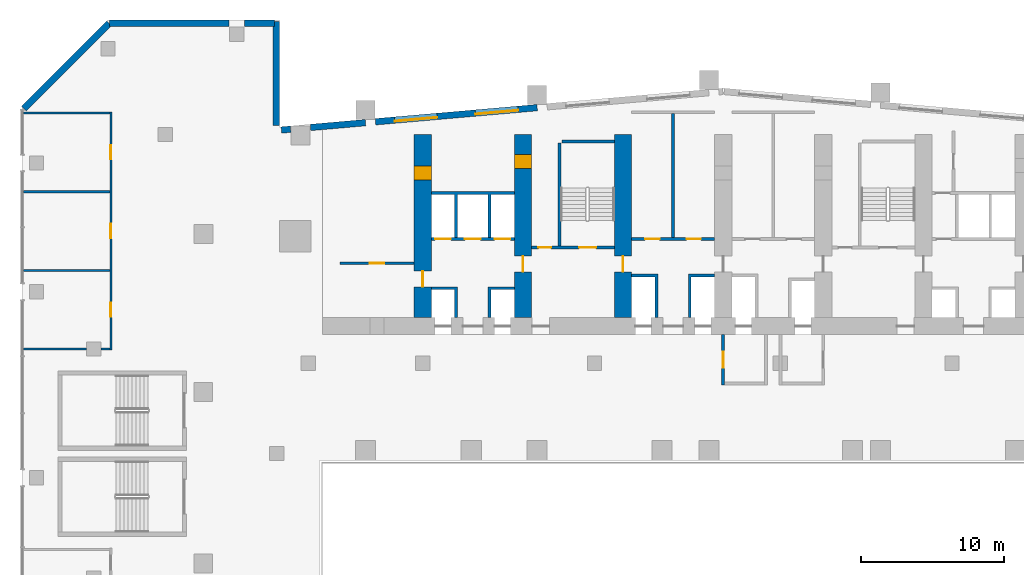
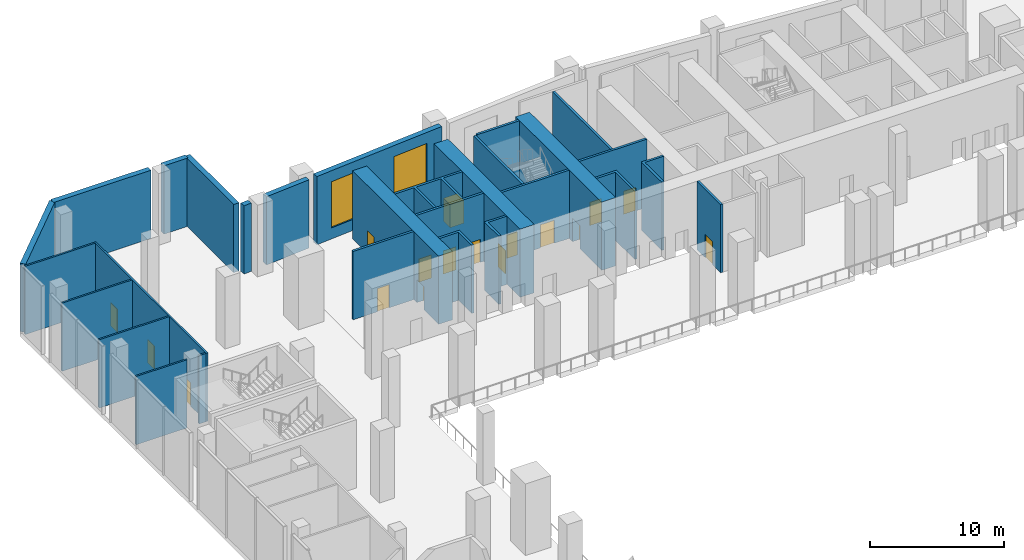
# One storey, part 14 of 30: 29 walls, 17 doors, 2 windows, 19 openings.
"""IFC4 building model written with IfcOpenShell, lengths in metres."""

from ifc_helpers import new_model, si_unit, direction, frame, frame_2d, origin, place, context, subcontext, project, spatial, polyline, rectangle, outline, extrude, material, layer, layer_set, type_object, element, fill, save


model = new_model("IFC4")

# Units and contexts
model_context = context("Model", 3, precision=1e-05, world=origin(), true_north=direction((0.0, 1.0)))
body_context = subcontext(model_context, "Body", "Model", "MODEL_VIEW")
ifc_project = project(units=[si_unit("LENGTHUNIT", "METRE"), si_unit("AREAUNIT", "SQUARE_METRE"), si_unit("VOLUMEUNIT", "CUBIC_METRE"), si_unit("PLANEANGLEUNIT", "RADIAN"), si_unit("MASSUNIT", "GRAM", prefix="KILO")], contexts=[model_context])

# Site, building, storey
site_placement = place(None, origin())
site = spatial("IfcSite", under=ifc_project, at=site_placement, CompositionType="ELEMENT")
building_placement = place(site_placement, origin())
building = spatial("IfcBuilding", under=site, at=building_placement, Name="Wharfspan Tower", CompositionType="ELEMENT")
storey_placement = place(building_placement, frame((0.0, 0.0, 15.0)))
storey = spatial("IfcBuildingStorey", under=building, at=storey_placement, Name="L02", CompositionType="ELEMENT", Elevation=15.0)

# Wall, opening, door
ifc_material_1 = material(Name="Calcium silicate masonry", Category="masonry")
ifc_layer_1 = layer(ifc_material_1, 0.199951)
ifc_layer_set_1 = layer_set([ifc_layer_1], Name="Calcium silicate masonry")
wall_type_1 = type_object("IfcWallType", Name="Core room wall 200", PredefinedType="PARTITIONING", material=ifc_layer_set_1)
wall_1_placement = place(storey_placement, frame((10.199951, 39.0, 0.0), z_axis=(0.0, 0.0, 1.0), x_axis=(1.0, 0.0, 0.0)))
wall_1 = element("IfcWall", 1, at=wall_1_placement, inside=storey, type_object=wall_type_1, Name="sw:L02:RM0", PredefinedType="PARTITIONING", context=body_context, shape_type="SweptSolid", body=[
    extrude(rectangle(XDim=5.199951, YDim=0.199951, at=frame_2d((2.600098, 0.0))), origin(), (0.0, 0.0, 1.0), 6.199951),
])
opening_1_placement = place(wall_1_placement, frame((2.100098, 0.0, 0.0)))
opening_1 = element("IfcOpeningElement", 2, at=opening_1_placement, cuts=wall_1, Name="Opening CD02.02", PredefinedType="OPENING", context=body_context, shape_type="SweptSolid", body=[
    extrude(rectangle(XDim=1.0, YDim=2.100098, at=frame_2d((0.5, 1.050049))), frame((0.0, 0.109863, 0.0), z_axis=(0.0, -1.0, 0.0), x_axis=(1.0, 0.0, 0.0)), (0.0, 0.0, 1.0), 0.219971),
])
ifc_material_2 = material(Name="Steel door leaf", Category="steel")
door_type_1 = type_object("IfcDoorType", Name="Core room door 1000x2100", OperationType="SINGLE_SWING_LEFT", PredefinedType="DOOR", material=ifc_material_2)
door_1_placement = place(opening_1_placement, origin())
door_1 = element("IfcDoor", 3, at=door_1_placement, inside=storey, type_object=door_type_1, Name="d:L02:0:rr", OperationType="SINGLE_SWING_RIGHT", OverallHeight=2.100098, OverallWidth=1.0, PredefinedType="DOOR", context=body_context, shape_type="SweptSolid", body=[
    extrude(rectangle(XDim=1.0, YDim=2.100098, at=frame_2d((0.5, 1.050049))), frame((0.0, 0.024902, 0.0), z_axis=(0.0, -1.0, 0.0), x_axis=(1.0, 0.0, 0.0)), (0.0, 0.0, 1.0), 0.050049),
])
fill(opening_1, door_1)

# Wall
wall_2_placement = place(storey_placement, frame((33.5, 40.800049, 0.0), z_axis=(0.0, 0.0, 1.0), x_axis=(0.0, 1.0, 0.0)))
element("IfcWall", 4, at=wall_2_placement, inside=storey, type_object=wall_type_1, Name="sw:L02:RP3.1", PredefinedType="PARTITIONING", context=body_context, shape_type="SweptSolid", body=[
    extrude(rectangle(XDim=8.652588, YDim=0.199951, at=frame_2d((4.326172, 0.0))), origin(), (0.0, 0.0, 1.0), 6.199951),
])

# Wall, openings, doors
ifc_material_3 = material(Name="Concrete C70/85", Category="concrete")
ifc_layer_2 = layer(ifc_material_3, 1.199951)
ifc_layer_set_2 = layer_set([ifc_layer_2], Name="Concrete C70/85")
wall_type_2 = type_object("IfcWallType", Name="Core wall fallback 1.2", PredefinedType="SHEAR", material=ifc_layer_set_2)
wall_3_placement = place(storey_placement, frame((16.0, 35.199951, 0.0), z_axis=(0.0, 0.0, 1.0), x_axis=(0.0, 1.0, 0.0)))
wall_3 = element("IfcWall", 5, at=wall_3_placement, inside=storey, type_object=wall_type_2, Name="cw:L02:X1", PredefinedType="SHEAR", context=body_context, shape_type="SweptSolid", body=[
    extrude(rectangle(XDim=12.800049, YDim=1.199951, at=frame_2d((6.399902, 0.0))), origin(), (0.0, 0.0, 1.0), 6.199951),
])
opening_2_placement = place(wall_3_placement, frame((2.149902, 0.0, 0.0)))
opening_2 = element("IfcOpeningElement", 6, at=opening_2_placement, cuts=wall_3, Name="Opening CC02.1", PredefinedType="OPENING", context=body_context, shape_type="SweptSolid", body=[
    extrude(rectangle(XDim=1.100098, YDim=2.100098, at=frame_2d((0.550049, 1.050049))), frame((0.0, 0.609863, 0.0), z_axis=(0.0, -1.0, 0.0), x_axis=(1.0, 0.0, 0.0)), (0.0, 0.0, 1.0), 1.219971),
])
opening_3_placement = place(wall_3_placement, frame((9.600098, 0.0, 0.0)))
opening_3 = element("IfcOpeningElement", 7, at=opening_3_placement, cuts=wall_3, Name="Opening CR02.1", PredefinedType="OPENING", context=body_context, shape_type="SweptSolid", body=[
    extrude(rectangle(XDim=1.0, YDim=2.100098, at=frame_2d((0.5, 1.050049))), frame((0.0, 0.609863, 0.0), z_axis=(0.0, -1.0, 0.0), x_axis=(1.0, 0.0, 0.0)), (0.0, 0.0, 1.0), 1.219971),
])
door_type_2 = type_object("IfcDoorType", Name="Core corridor door 1100x2100", OperationType="SINGLE_SWING_LEFT", PredefinedType="DOOR", material=ifc_material_2)
door_2_placement = place(opening_2_placement, origin())
door_2 = element("IfcDoor", 8, at=door_2_placement, inside=storey, type_object=door_type_2, Name="xd:L02:1", OperationType="SINGLE_SWING_LEFT", OverallHeight=2.100098, OverallWidth=1.100098, PredefinedType="DOOR", context=body_context, shape_type="SweptSolid", body=[
    extrude(rectangle(XDim=1.100098, YDim=2.100098, at=frame_2d((0.550049, 1.050049))), frame((0.0, 0.024902, 0.0), z_axis=(0.0, -1.0, 0.0), x_axis=(1.0, 0.0, 0.0)), (0.0, 0.0, 1.0), 0.050049),
])
fill(opening_2, door_2)
door_3_placement = place(opening_3_placement, origin())
door_3 = element("IfcDoor", 9, at=door_3_placement, inside=storey, type_object=door_type_1, Name="xr:L02:1", OperationType="SINGLE_SWING_RIGHT", OverallHeight=2.100098, OverallWidth=1.0, PredefinedType="DOOR", context=body_context, shape_type="SweptSolid", body=[
    extrude(rectangle(XDim=1.0, YDim=2.100098, at=frame_2d((0.5, 1.050049))), frame((0.0, 0.599609, 0.0), z_axis=(0.0, -1.0, 0.0), x_axis=(1.0, 0.0, 0.0)), (0.0, 0.0, 1.0), 1.199463),
])
fill(opening_3, door_3)

wall_4_placement = place(storey_placement, frame((23.0, 35.199951, 0.0), z_axis=(0.0, 0.0, 1.0), x_axis=(0.0, 1.0, 0.0)))
wall_4 = element("IfcWall", 10, at=wall_4_placement, inside=storey, type_object=wall_type_2, Name="cw:L02:X2", PredefinedType="SHEAR", context=body_context, shape_type="SweptSolid", body=[
    extrude(rectangle(XDim=12.800049, YDim=1.199951, at=frame_2d((6.399902, 0.0))), origin(), (0.0, 0.0, 1.0), 6.199951),
])
opening_4_placement = place(wall_4_placement, frame((10.413818, 0.0, 0.0)))
opening_4 = element("IfcOpeningElement", 11, at=opening_4_placement, cuts=wall_4, Name="Opening CD02.1X", PredefinedType="OPENING", context=body_context, shape_type="SweptSolid", body=[
    extrude(rectangle(XDim=1.0, YDim=2.100098, at=frame_2d((0.5, 1.050049))), frame((0.0, 0.609863, 0.0), z_axis=(0.0, -1.0, 0.0), x_axis=(1.0, 0.0, 0.0)), (0.0, 0.0, 1.0), 1.219971),
])
opening_5_placement = place(wall_4_placement, frame((3.199951, 0.0, 0.0)))
opening_5 = element("IfcOpeningElement", 12, at=opening_5_placement, cuts=wall_4, Name="Opening CC02.2", PredefinedType="OPENING", context=body_context, shape_type="SweptSolid", body=[
    extrude(rectangle(XDim=1.100098, YDim=2.100098, at=frame_2d((0.550049, 1.050049))), frame((0.0, 0.609863, 0.0), z_axis=(0.0, -1.0, 0.0), x_axis=(1.0, 0.0, 0.0)), (0.0, 0.0, 1.0), 1.219971),
])
door_4_placement = place(opening_5_placement, origin())
door_4 = element("IfcDoor", 13, at=door_4_placement, inside=storey, type_object=door_type_2, Name="xd:L02:2", OperationType="SINGLE_SWING_RIGHT", OverallHeight=2.100098, OverallWidth=1.100098, PredefinedType="DOOR", context=body_context, shape_type="SweptSolid", body=[
    extrude(rectangle(XDim=1.100098, YDim=2.100098, at=frame_2d((0.550049, 1.050049))), frame((0.0, 0.024902, 0.0), z_axis=(0.0, -1.0, 0.0), x_axis=(1.0, 0.0, 0.0)), (0.0, 0.0, 1.0), 0.050049),
])
fill(opening_5, door_4)
door_5_placement = place(opening_4_placement, origin())
door_5 = element("IfcDoor", 14, at=door_5_placement, inside=storey, type_object=door_type_1, Name="d:L02:1:sx", OperationType="SINGLE_SWING_LEFT", OverallHeight=2.100098, OverallWidth=1.0, PredefinedType="DOOR", context=body_context, shape_type="SweptSolid", body=[
    extrude(rectangle(XDim=1.0, YDim=2.100098, at=frame_2d((0.5, 1.050049))), frame((0.0, 0.599609, 0.0), z_axis=(0.0, -1.0, 0.0), x_axis=(1.0, 0.0, 0.0)), (0.0, 0.0, 1.0), 1.199463),
])
fill(opening_4, door_5)

# Wall, opening, door
wall_5_placement = place(storey_placement, frame((30.0, 35.199951, 0.0), z_axis=(0.0, 0.0, 1.0), x_axis=(0.0, 1.0, 0.0)))
wall_5 = element("IfcWall", 15, at=wall_5_placement, inside=storey, type_object=wall_type_2, Name="cw:L02:X3", PredefinedType="SHEAR", context=body_context, shape_type="SweptSolid", body=[
    extrude(rectangle(XDim=12.800049, YDim=1.199951, at=frame_2d((6.399902, 0.0))), origin(), (0.0, 0.0, 1.0), 6.199951),
])
opening_6_placement = place(wall_5_placement, frame((3.199951, 0.0, 0.0)))
opening_6 = element("IfcOpeningElement", 16, at=opening_6_placement, cuts=wall_5, Name="Opening CC02.3", PredefinedType="OPENING", context=body_context, shape_type="SweptSolid", body=[
    extrude(rectangle(XDim=1.100098, YDim=2.100098, at=frame_2d((0.550049, 1.050049))), frame((0.0, 0.609863, 0.0), z_axis=(0.0, -1.0, 0.0), x_axis=(1.0, 0.0, 0.0)), (0.0, 0.0, 1.0), 1.219971),
])
door_6_placement = place(opening_6_placement, origin())
door_6 = element("IfcDoor", 17, at=door_6_placement, inside=storey, type_object=door_type_2, Name="xd:L02:3", OperationType="SINGLE_SWING_LEFT", OverallHeight=2.100098, OverallWidth=1.100098, PredefinedType="DOOR", context=body_context, shape_type="SweptSolid", body=[
    extrude(rectangle(XDim=1.100098, YDim=2.100098, at=frame_2d((0.550049, 1.050049))), frame((0.0, 0.024902, 0.0), z_axis=(0.0, -1.0, 0.0), x_axis=(1.0, 0.0, 0.0)), (0.0, 0.0, 1.0), 0.050049),
])
fill(opening_6, door_6)

# Wall, openings, doors
ifc_material_4 = material(Name="Concrete C30/37", Category="concrete")
ifc_layer_3 = layer(ifc_material_4, 0.199951)
ifc_layer_set_3 = layer_set([ifc_layer_3], Name="Concrete C30/37")
wall_type_3 = type_object("IfcWallType", Name="Lift shaft wall 200", PredefinedType="PARTITIONING", material=ifc_layer_set_3)
wall_6_placement = place(storey_placement, frame((16.600098, 40.699951, 0.0), z_axis=(0.0, 0.0, 1.0), x_axis=(1.0, 0.0, 0.0)))
wall_6 = element("IfcWall", 18, at=wall_6_placement, inside=storey, type_object=wall_type_3, Name="sw:L02:RF1", PredefinedType="PARTITIONING", context=body_context, shape_type="SweptSolid", body=[
    extrude(rectangle(XDim=5.799805, YDim=0.199951, at=frame_2d((2.899902, 0.0))), origin(), (0.0, 0.0, 1.0), 6.199951),
])
opening_7_placement = place(wall_6_placement, frame((0.266602, 0.0, 0.0)))
opening_7 = element("IfcOpeningElement", 19, at=opening_7_placement, cuts=wall_6, Name="Opening LD.LA3.L02", PredefinedType="OPENING", context=body_context, shape_type="SweptSolid", body=[
    extrude(rectangle(XDim=1.100098, YDim=2.100098, at=frame_2d((0.550049, 1.050049))), frame((0.0, 0.109863, 0.0), z_axis=(0.0, -1.0, 0.0), x_axis=(1.0, 0.0, 0.0)), (0.0, 0.0, 1.0), 0.219971),
])
opening_8_placement = place(wall_6_placement, frame((2.350098, 0.0, 0.0)))
opening_8 = element("IfcOpeningElement", 20, at=opening_8_placement, cuts=wall_6, Name="Opening LD.LA4.L02", PredefinedType="OPENING", context=body_context, shape_type="SweptSolid", body=[
    extrude(rectangle(XDim=1.100098, YDim=2.100098, at=frame_2d((0.550049, 1.050049))), frame((0.0, 0.109863, 0.0), z_axis=(0.0, -1.0, 0.0), x_axis=(1.0, 0.0, 0.0)), (0.0, 0.0, 1.0), 0.219971),
])
opening_9_placement = place(wall_6_placement, frame((4.43335, 0.0, 0.0)))
opening_9 = element("IfcOpeningElement", 21, at=opening_9_placement, cuts=wall_6, Name="Opening LD.LA5.L02", PredefinedType="OPENING", context=body_context, shape_type="SweptSolid", body=[
    extrude(rectangle(XDim=1.100098, YDim=2.100098, at=frame_2d((0.550049, 1.050049))), frame((0.0, 0.109863, 0.0), z_axis=(0.0, -1.0, 0.0), x_axis=(1.0, 0.0, 0.0)), (0.0, 0.0, 1.0), 0.219971),
])
ifc_material_5 = material(Name="Stainless steel", Category="steel")
door_type_3 = type_object("IfcDoorType", Name="Lift landing door 1100x2100", OperationType="DOUBLE_DOOR_SLIDING", PredefinedType="DOOR", material=ifc_material_5)
door_7_placement = place(opening_7_placement, origin())
door_7 = element("IfcDoor", 22, at=door_7_placement, inside=storey, type_object=door_type_3, Name="Landing door LA3 L02", OperationType="DOUBLE_DOOR_SLIDING", OverallHeight=2.100098, OverallWidth=1.100098, PredefinedType="DOOR", context=body_context, shape_type="SweptSolid", body=[
    extrude(rectangle(XDim=1.100098, YDim=2.100098, at=frame_2d((0.550049, 1.050049))), frame((0.0, 0.024902, 0.0), z_axis=(0.0, -1.0, 0.0), x_axis=(1.0, 0.0, 0.0)), (0.0, 0.0, 1.0), 0.050049),
])
fill(opening_7, door_7)
door_8_placement = place(opening_8_placement, origin())
door_8 = element("IfcDoor", 23, at=door_8_placement, inside=storey, type_object=door_type_3, Name="Landing door LA4 L02", OperationType="DOUBLE_DOOR_SLIDING", OverallHeight=2.100098, OverallWidth=1.100098, PredefinedType="DOOR", context=body_context, shape_type="SweptSolid", body=[
    extrude(rectangle(XDim=1.100098, YDim=2.100098, at=frame_2d((0.550049, 1.050049))), frame((0.0, 0.024902, 0.0), z_axis=(0.0, -1.0, 0.0), x_axis=(1.0, 0.0, 0.0)), (0.0, 0.0, 1.0), 0.050049),
])
fill(opening_8, door_8)
door_9_placement = place(opening_9_placement, origin())
door_9 = element("IfcDoor", 24, at=door_9_placement, inside=storey, type_object=door_type_3, Name="Landing door LA5 L02", OperationType="DOUBLE_DOOR_SLIDING", OverallHeight=2.100098, OverallWidth=1.100098, PredefinedType="DOOR", context=body_context, shape_type="SweptSolid", body=[
    extrude(rectangle(XDim=1.100098, YDim=2.100098, at=frame_2d((0.550049, 1.050049))), frame((0.0, 0.024902, 0.0), z_axis=(0.0, -1.0, 0.0), x_axis=(1.0, 0.0, 0.0)), (0.0, 0.0, 1.0), 0.050049),
])
fill(opening_9, door_9)

# Walls
wall_7_placement = place(storey_placement, frame((0.0, 0.0, -0.000244)))
element("IfcWall", 25, at=wall_7_placement, inside=storey, type_object=wall_type_3, Name="sw:L02:FM1.0", PredefinedType="PARTITIONING", context=body_context, shape_type="SweptSolid", body=[
    extrude(outline(polyline([(18.233398, 37.149902), (16.600098, 37.149902), (16.600098, 37.350098), (18.233398, 37.350098), (18.43335, 37.350098), (18.43335, 35.199951), (18.233398, 35.199951), (18.233398, 37.149902)])), origin(), (0.0, 0.0, 1.0), 6.200195),
])
wall_8_placement = place(storey_placement, frame((0.0, 0.0, -0.000244)))
element("IfcWall", 26, at=wall_8_placement, inside=storey, type_object=wall_type_3, Name="sw:L02:FM1.1", PredefinedType="PARTITIONING", context=body_context, shape_type="SweptSolid", body=[
    extrude(outline(polyline([(20.56665, 37.350098), (20.766602, 37.350098), (22.399902, 37.350098), (22.399902, 37.149902), (20.766602, 37.149902), (20.766602, 35.199951), (20.56665, 35.199951), (20.56665, 37.350098)])), origin(), (0.0, 0.0, 1.0), 6.200195),
])
wall_9_placement = place(storey_placement, frame((0.0, 0.0, -0.000244)))
element("IfcWall", 27, at=wall_9_placement, inside=storey, type_object=wall_type_3, Name="sw:L02:RM1.0", PredefinedType="PARTITIONING", context=body_context, shape_type="SweptSolid", body=[
    extrude(outline(polyline([(18.43335, 40.800049), (18.233398, 40.800049), (18.233398, 43.800049), (16.600098, 43.800049), (16.600098, 44.0), (22.399902, 44.0), (22.399902, 43.800049), (20.766602, 43.800049), (20.766602, 40.800049), (20.56665, 40.800049), (20.56665, 43.800049), (18.43335, 43.800049), (18.43335, 40.800049)])), origin(), (0.0, 0.0, 1.0), 6.200195),
])

# Wall, openings, doors
wall_10_placement = place(storey_placement, frame((30.600098, 40.699951, 0.0), z_axis=(0.0, 0.0, 1.0), x_axis=(1.0, 0.0, 0.0)))
wall_10 = element("IfcWall", 28, at=wall_10_placement, inside=storey, type_object=wall_type_3, Name="sw:L02:RF3", PredefinedType="PARTITIONING", context=body_context, shape_type="SweptSolid", body=[
    extrude(rectangle(XDim=5.799805, YDim=0.199951, at=frame_2d((2.899902, 0.0))), origin(), (0.0, 0.0, 1.0), 6.199951),
])
opening_10_placement = place(wall_10_placement, frame((0.949951, 0.0, 0.0)))
opening_10 = element("IfcOpeningElement", 29, at=opening_10_placement, cuts=wall_10, Name="Opening CD02.3S", PredefinedType="OPENING", context=body_context, shape_type="SweptSolid", body=[
    extrude(rectangle(XDim=1.0, YDim=2.100098, at=frame_2d((0.5, 1.050049))), frame((0.0, 0.109863, 0.0), z_axis=(0.0, -1.0, 0.0), x_axis=(1.0, 0.0, 0.0)), (0.0, 0.0, 1.0), 0.219971),
])
opening_11_placement = place(wall_10_placement, frame((3.850098, 0.0, 0.0)))
opening_11 = element("IfcOpeningElement", 30, at=opening_11_placement, cuts=wall_10, Name="Opening CD02.3Sa", PredefinedType="OPENING", context=body_context, shape_type="SweptSolid", body=[
    extrude(rectangle(XDim=1.0, YDim=2.100098, at=frame_2d((0.5, 1.050049))), frame((0.0, 0.109863, 0.0), z_axis=(0.0, -1.0, 0.0), x_axis=(1.0, 0.0, 0.0)), (0.0, 0.0, 1.0), 0.219971),
])
door_10_placement = place(opening_10_placement, origin())
door_10 = element("IfcDoor", 31, at=door_10_placement, inside=storey, type_object=door_type_1, Name="d:L02:3:sf", OperationType="SINGLE_SWING_LEFT", OverallHeight=2.100098, OverallWidth=1.0, PredefinedType="DOOR", context=body_context, shape_type="SweptSolid", body=[
    extrude(rectangle(XDim=1.0, YDim=2.100098, at=frame_2d((0.5, 1.050049))), frame((0.0, 0.024902, 0.0), z_axis=(0.0, -1.0, 0.0), x_axis=(1.0, 0.0, 0.0)), (0.0, 0.0, 1.0), 0.050049),
])
fill(opening_10, door_10)
door_11_placement = place(opening_11_placement, origin())
door_11 = element("IfcDoor", 32, at=door_11_placement, inside=storey, type_object=door_type_1, Name="d:L02:3:sf1", OperationType="SINGLE_SWING_LEFT", OverallHeight=2.100098, OverallWidth=1.0, PredefinedType="DOOR", context=body_context, shape_type="SweptSolid", body=[
    extrude(rectangle(XDim=1.0, YDim=2.100098, at=frame_2d((0.5, 1.050049))), frame((0.0, 0.024902, 0.0), z_axis=(0.0, -1.0, 0.0), x_axis=(1.0, 0.0, 0.0)), (0.0, 0.0, 1.0), 0.050049),
])
fill(opening_11, door_11)

# Walls
wall_11_placement = place(storey_placement, frame((0.0, 0.0, -0.000244)))
element("IfcWall", 33, at=wall_11_placement, inside=storey, type_object=wall_type_3, Name="sw:L02:FM3.0", PredefinedType="PARTITIONING", context=body_context, shape_type="SweptSolid", body=[
    extrude(outline(polyline([(32.233398, 38.050049), (30.600098, 38.050049), (30.600098, 38.25), (32.233398, 38.25), (32.43335, 38.25), (32.43335, 35.199951), (32.233398, 35.199951), (32.233398, 38.050049)])), origin(), (0.0, 0.0, 1.0), 6.200195),
])
wall_12_placement = place(storey_placement, frame((0.0, 0.0, -0.000244)))
element("IfcWall", 34, at=wall_12_placement, inside=storey, type_object=wall_type_3, Name="sw:L02:FM3.1", PredefinedType="PARTITIONING", context=body_context, shape_type="SweptSolid", body=[
    extrude(outline(polyline([(34.56665, 38.25), (34.766602, 38.25), (36.399902, 38.25), (36.399902, 38.050049), (34.766602, 38.050049), (34.766602, 35.199951), (34.56665, 35.199951), (34.56665, 38.25)])), origin(), (0.0, 0.0, 1.0), 6.200195),
])

# Wall, opening, door
ifc_layer_4 = layer(ifc_material_4, 0.199951)
ifc_layer_set_4 = layer_set([ifc_layer_4], Name="Concrete C30/37")
wall_type_4 = type_object("IfcWallType", Name="Lobby wall 200", PredefinedType="PARTITIONING", material=ifc_layer_set_4)
wall_13_placement = place(storey_placement, frame((37.0, 30.5, 0.0), z_axis=(0.0, 0.0, 1.0), x_axis=(0.0, 1.0, 0.0)))
wall_13 = element("IfcWall", 35, at=wall_13_placement, inside=storey, type_object=wall_type_4, Name="sw:L02:FLFF1W", PredefinedType="PARTITIONING", context=body_context, shape_type="SweptSolid", body=[
    extrude(rectangle(XDim=3.5, YDim=0.199951, at=frame_2d((1.75, 0.0))), origin(), (0.0, 0.0, 1.0), 6.199951),
])
opening_12_placement = place(wall_13_placement, frame((1.199951, 0.0, 0.0)))
opening_12 = element("IfcOpeningElement", 36, at=opening_12_placement, cuts=wall_13, Name="Opening FL.FF1.L02", PredefinedType="OPENING", context=body_context, shape_type="SweptSolid", body=[
    extrude(rectangle(XDim=1.100098, YDim=2.100098, at=frame_2d((0.550049, 1.050049))), frame((0.0, 0.109863, 0.0), z_axis=(0.0, -1.0, 0.0), x_axis=(1.0, 0.0, 0.0)), (0.0, 0.0, 1.0), 0.219971),
])
door_type_4 = type_object("IfcDoorType", Name="Firefighting lobby door 1100x2100", OperationType="SINGLE_SWING_LEFT", PredefinedType="DOOR", material=ifc_material_2)
door_12_placement = place(opening_12_placement, origin())
door_12 = element("IfcDoor", 37, at=door_12_placement, inside=storey, type_object=door_type_4, Name="fd:L02:FF1", OperationType="SINGLE_SWING_LEFT", OverallHeight=2.100098, OverallWidth=1.100098, PredefinedType="DOOR", context=body_context, shape_type="SweptSolid", body=[
    extrude(rectangle(XDim=1.100098, YDim=2.100098, at=frame_2d((0.550049, 1.050049))), frame((0.0, 0.024902, 0.0), z_axis=(0.0, -1.0, 0.0), x_axis=(1.0, 0.0, 0.0)), (0.0, 0.0, 1.0), 0.050049),
])
fill(opening_12, door_12)

# Wall, openings, doors
ifc_layer_5 = layer(ifc_material_1, 0.149902)
ifc_layer_set_5 = layer_set([ifc_layer_5], Name="Calcium silicate masonry")
wall_type_5 = type_object("IfcWallType", Name="Podium room wall 150", PredefinedType="PARTITIONING", material=ifc_layer_set_5)
wall_14_placement = place(storey_placement, frame((-5.800049, 32.925049, 0.0), z_axis=(0.0, 0.0, 1.0), x_axis=(0.0, 1.0, 0.0)))
wall_14 = element("IfcWall", 38, at=wall_14_placement, inside=storey, type_object=wall_type_5, Name="iw:L02:5", PredefinedType="PARTITIONING", context=body_context, shape_type="SweptSolid", body=[
    extrude(rectangle(XDim=16.649902, YDim=0.149902, at=frame_2d((8.324951, 0.0))), origin(), (0.0, 0.0, 1.0), 6.199951),
])
opening_13_placement = place(wall_14_placement, frame((2.324951, 0.0, 0.0)))
opening_13 = element("IfcOpeningElement", 39, at=opening_13_placement, cuts=wall_14, Name="Opening PD02.12", PredefinedType="OPENING", context=body_context, shape_type="SweptSolid", body=[
    extrude(rectangle(XDim=1.0, YDim=2.100098, at=frame_2d((0.5, 1.050049))), frame((0.0, 0.084961, 0.0), z_axis=(0.0, -1.0, 0.0), x_axis=(1.0, 0.0, 0.0)), (0.0, 0.0, 1.0), 0.169922),
])
opening_14_placement = place(wall_14_placement, frame((7.824951, 0.0, 0.0)))
opening_14 = element("IfcOpeningElement", 40, at=opening_14_placement, cuts=wall_14, Name="Opening PD02.13", PredefinedType="OPENING", context=body_context, shape_type="SweptSolid", body=[
    extrude(rectangle(XDim=1.0, YDim=2.100098, at=frame_2d((0.5, 1.050049))), frame((0.0, 0.084961, 0.0), z_axis=(0.0, -1.0, 0.0), x_axis=(1.0, 0.0, 0.0)), (0.0, 0.0, 1.0), 0.169922),
])
opening_15_placement = place(wall_14_placement, frame((13.324951, 0.0, 0.0)))
opening_15 = element("IfcOpeningElement", 41, at=opening_15_placement, cuts=wall_14, Name="Opening PD02.14", PredefinedType="OPENING", context=body_context, shape_type="SweptSolid", body=[
    extrude(rectangle(XDim=1.0, YDim=2.100098, at=frame_2d((0.5, 1.050049))), frame((0.0, 0.084961, 0.0), z_axis=(0.0, -1.0, 0.0), x_axis=(1.0, 0.0, 0.0)), (0.0, 0.0, 1.0), 0.169922),
])
door_type_5 = type_object("IfcDoorType", Name="Podium room door 1000x2100", OperationType="SINGLE_SWING_LEFT", PredefinedType="DOOR", material=ifc_material_2)
door_13_placement = place(opening_13_placement, origin())
door_13 = element("IfcDoor", 42, at=door_13_placement, inside=storey, type_object=door_type_5, Name="id:L02:12", OperationType="SINGLE_SWING_LEFT", OverallHeight=2.100098, OverallWidth=1.0, PredefinedType="DOOR", context=body_context, shape_type="SweptSolid", body=[
    extrude(rectangle(XDim=1.0, YDim=2.100098, at=frame_2d((0.5, 1.050049))), frame((0.0, 0.024902, 0.0), z_axis=(0.0, -1.0, 0.0), x_axis=(1.0, 0.0, 0.0)), (0.0, 0.0, 1.0), 0.050049),
])
fill(opening_13, door_13)
door_14_placement = place(opening_14_placement, origin())
door_14 = element("IfcDoor", 43, at=door_14_placement, inside=storey, type_object=door_type_5, Name="id:L02:13", OperationType="SINGLE_SWING_RIGHT", OverallHeight=2.100098, OverallWidth=1.0, PredefinedType="DOOR", context=body_context, shape_type="SweptSolid", body=[
    extrude(rectangle(XDim=1.0, YDim=2.100098, at=frame_2d((0.5, 1.050049))), frame((0.0, 0.024902, 0.0), z_axis=(0.0, -1.0, 0.0), x_axis=(1.0, 0.0, 0.0)), (0.0, 0.0, 1.0), 0.050049),
])
fill(opening_14, door_14)
door_15_placement = place(opening_15_placement, origin())
door_15 = element("IfcDoor", 44, at=door_15_placement, inside=storey, type_object=door_type_5, Name="id:L02:14", OperationType="SINGLE_SWING_LEFT", OverallHeight=2.100098, OverallWidth=1.0, PredefinedType="DOOR", context=body_context, shape_type="SweptSolid", body=[
    extrude(rectangle(XDim=1.0, YDim=2.100098, at=frame_2d((0.5, 1.050049))), frame((0.0, 0.024902, 0.0), z_axis=(0.0, -1.0, 0.0), x_axis=(1.0, 0.0, 0.0)), (0.0, 0.0, 1.0), 0.050049),
])
fill(opening_15, door_15)

# Walls
wall_15_placement = place(storey_placement, frame((-11.89502, 33.0, 0.0), z_axis=(0.0, 0.0, 1.0), x_axis=(1.0, 0.0, 0.0)))
element("IfcWall", 45, at=wall_15_placement, inside=storey, type_object=wall_type_5, Name="iw:L02:26", PredefinedType="PARTITIONING", context=body_context, shape_type="SweptSolid", body=[
    extrude(rectangle(XDim=4.38501, YDim=0.149902, at=frame_2d((2.192383, 0.0))), origin(), (0.0, 0.0, 1.0), 6.199951),
])
wall_16_placement = place(storey_placement, frame((-6.48999, 33.0, 0.0), z_axis=(0.0, 0.0, 1.0), x_axis=(1.0, 0.0, 0.0)))
element("IfcWall", 46, at=wall_16_placement, inside=storey, type_object=wall_type_5, Name="iw:L02:27", PredefinedType="PARTITIONING", context=body_context, shape_type="SweptSolid", body=[
    extrude(rectangle(XDim=0.61499, YDim=0.149902, at=frame_2d((0.307617, 0.0))), origin(), (0.0, 0.0, 1.0), 6.199951),
])
for number, where, z_axis, x_axis, name in (
    (47, (-11.89502, 38.5, 0.0), (0.0, 0.0, 1.0), (1.0, 0.0, 0.0), "iw:L02:28"),
    (48, (-11.89502, 44.0, 0.0), (0.0, 0.0, 1.0), (1.0, 0.0, 0.0), "iw:L02:29"),
    (49, (-11.89502, 49.5, 0.0), (0.0, 0.0, 1.0), (1.0, 0.0, 0.0), "iw:L02:30"),
):
    element("IfcWall", number, at=place(storey_placement, frame(where, z_axis=z_axis, x_axis=x_axis)), inside=storey, type_object=wall_type_5, Name=name, PredefinedType="PARTITIONING", context=body_context, shape_type="SweptSolid", body=[
        extrude(rectangle(XDim=6.02002, YDim=0.149902, at=frame_2d((3.01001, 0.0))), origin(), (0.0, 0.0, 1.0), 6.199951),
    ])

# Wall, openings, doors
ifc_material_6 = material(Name="Concrete C40/50", Category="concrete")
ifc_layer_6 = layer(ifc_material_6, 0.199951)
ifc_layer_set_6 = layer_set([ifc_layer_6], Name="Concrete C40/50")
wall_type_6 = type_object("IfcWallType", Name="Stair shaft wall 200", PredefinedType="SHEAR", material=ifc_layer_set_6)
wall_17_placement = place(storey_placement, frame((23.600098, 40.100098, 0.0), z_axis=(0.0, 0.0, 1.0), x_axis=(1.0, 0.0, 0.0)))
wall_17 = element("IfcWall", 50, at=wall_17_placement, inside=storey, type_object=wall_type_6, Name="ST1 stair enclosure wall L02", PredefinedType="SHEAR", context=body_context, shape_type="SweptSolid", body=[
    extrude(rectangle(XDim=5.799805, YDim=0.199951, at=frame_2d((2.899902, 0.0))), origin(), (0.0, 0.0, 1.0), 6.199951),
])
opening_16_placement = place(wall_17_placement, frame((3.324951, 0.0, 0.0)))
opening_16 = element("IfcOpeningElement", 51, at=opening_16_placement, cuts=wall_17, Name="Opening SD2.L02", PredefinedType="OPENING", context=body_context, shape_type="SweptSolid", body=[
    extrude(rectangle(XDim=1.199951, YDim=2.100098, at=frame_2d((0.600098, 1.050049))), frame((0.0, 0.109863, 0.0), z_axis=(0.0, -1.0, 0.0), x_axis=(1.0, 0.0, 0.0)), (0.0, 0.0, 1.0), 0.219971),
])
opening_17_placement = place(wall_17_placement, frame((0.475098, 0.0, 0.0)))
opening_17 = element("IfcOpeningElement", 52, at=opening_17_placement, cuts=wall_17, Name="Opening CD02.2R", PredefinedType="OPENING", context=body_context, shape_type="SweptSolid", body=[
    extrude(rectangle(XDim=0.899902, YDim=2.100098, at=frame_2d((0.449951, 1.050049))), frame((0.0, 0.109863, 0.0), z_axis=(0.0, -1.0, 0.0), x_axis=(1.0, 0.0, 0.0)), (0.0, 0.0, 1.0), 0.219971),
])
door_16_placement = place(opening_17_placement, origin())
door_16 = element("IfcDoor", 53, at=door_16_placement, inside=storey, type_object=door_type_1, Name="rk:L02:2", OperationType="SINGLE_SWING_LEFT", OverallHeight=2.100098, OverallWidth=0.899902, PredefinedType="DOOR", context=body_context, shape_type="SweptSolid", body=[
    extrude(rectangle(XDim=0.899902, YDim=2.100098, at=frame_2d((0.449951, 1.050049))), frame((0.0, 0.024902, 0.0), z_axis=(0.0, -1.0, 0.0), x_axis=(1.0, 0.0, 0.0)), (0.0, 0.0, 1.0), 0.050049),
])
fill(opening_17, door_16)
door_type_6 = type_object("IfcDoorType", Name="Stair door 1200x2100", OperationType="SINGLE_SWING_LEFT", PredefinedType="DOOR", material=ifc_material_2)
door_17_placement = place(opening_16_placement, origin())
door_17 = element("IfcDoor", 54, at=door_17_placement, inside=storey, type_object=door_type_6, Name="sd:L02:2", OperationType="SINGLE_SWING_RIGHT", OverallHeight=2.100098, OverallWidth=1.199951, PredefinedType="DOOR", context=body_context, shape_type="SweptSolid", body=[
    extrude(rectangle(XDim=1.199951, YDim=2.100098, at=frame_2d((0.600098, 1.050049))), frame((0.0, 0.024902, 0.0), z_axis=(0.0, -1.0, 0.0), x_axis=(1.0, 0.0, 0.0)), (0.0, 0.0, 1.0), 0.050049),
])
fill(opening_16, door_17)

# Walls
wall_18_placement = place(storey_placement, frame((25.550049, 40.199951, 0.0), z_axis=(0.0, 0.0, 1.0), x_axis=(0.0, 1.0, 0.0)))
element("IfcWall", 55, at=wall_18_placement, inside=storey, type_object=wall_type_6, Name="ST1 stair enclosure wall L02", PredefinedType="SHEAR", context=body_context, shape_type="SweptSolid", body=[
    extrude(rectangle(XDim=7.199951, YDim=0.199951, at=frame_2d((3.600098, 0.0))), origin(), (0.0, 0.0, 1.0), 6.199951),
])
wall_19_placement = place(storey_placement, frame((25.75, 47.5, 0.0), z_axis=(0.0, 0.0, 1.0), x_axis=(1.0, 0.0, 0.0)))
element("IfcWall", 56, at=wall_19_placement, inside=storey, type_object=wall_type_6, Name="ST1 stair enclosure wall L02", PredefinedType="SHEAR", context=body_context, shape_type="SweptSolid", body=[
    extrude(rectangle(XDim=3.649902, YDim=0.199951, at=frame_2d((1.824951, 0.0))), origin(), (0.0, 0.0, 1.0), 6.199951),
])

# Wall, openings, windows
ifc_layer_7 = layer(ifc_material_6, 0.449951)
ifc_layer_set_7 = layer_set([ifc_layer_7], Name="Concrete C40/50")
wall_type_7 = type_object("IfcWallType", Name="WALL BOARD-MARKED CONCRETE 450", PredefinedType="SOLIDWALL", material=ifc_layer_set_7)
wall_20_placement = place(storey_placement, frame((23.999756, 49.873779, 0.0), z_axis=(0.0, 0.0, 1.0), x_axis=(-0.996195, -0.087145, 0.0)))
wall_20 = element("IfcWall", 57, at=wall_20_placement, inside=storey, type_object=wall_type_7, Name="Podium wall PF8", PredefinedType="SOLIDWALL", context=body_context, shape_type="SweptSolid", body=[
    extrude(rectangle(XDim=11.343506, YDim=0.449951, at=frame_2d((5.671875, 0.0))), origin(), (0.0, 0.0, 1.0), 6.199951),
])
opening_18_placement = place(wall_20_placement, frame((1.335938, 0.0, 1.0)))
opening_18 = element("IfcOpeningElement", 58, at=opening_18_placement, cuts=wall_20, Name="Opening EWN2", PredefinedType="OPENING", context=body_context, shape_type="SweptSolid", body=[
    extrude(rectangle(XDim=3.0, YDim=4.199951, at=frame_2d((1.5, 2.100098))), frame((0.0, 0.234863, 0.0), z_axis=(0.0, -1.0, 0.0), x_axis=(1.0, 0.0, 0.0)), (0.0, 0.0, 1.0), 0.469971),
])
opening_19_placement = place(wall_20_placement, frame((7.007568, 0.0, 1.0)))
opening_19 = element("IfcOpeningElement", 59, at=opening_19_placement, cuts=wall_20, Name="Opening EWN2", PredefinedType="OPENING", context=body_context, shape_type="SweptSolid", body=[
    extrude(rectangle(XDim=3.0, YDim=4.199951, at=frame_2d((1.5, 2.100098))), frame((0.0, 0.234863, 0.0), z_axis=(0.0, -1.0, 0.0), x_axis=(1.0, 0.0, 0.0)), (0.0, 0.0, 1.0), 0.469971),
])
ifc_material_7 = material(Name="Aluminium 6063-T6", Category="aluminium")
window_type = type_object("IfcWindowType", Name="WINDOW 3000x4200", PartitioningType="SINGLE_PANEL", PredefinedType="WINDOW", material=ifc_material_7)
window_1_placement = place(opening_18_placement, origin())
window_1 = element("IfcWindow", 60, at=window_1_placement, inside=storey, type_object=window_type, Name="Podium window", OverallHeight=4.199951, OverallWidth=3.0, PartitioningType="SINGLE_PANEL", PredefinedType="WINDOW", context=body_context, shape_type="SweptSolid", body=[
    extrude(rectangle(XDim=3.0, YDim=4.199951, at=frame_2d((1.5, 2.100098))), frame((0.0, 0.10498, 0.0), z_axis=(0.0, -1.0, 0.0), x_axis=(1.0, 0.0, 0.0)), (0.0, 0.0, 1.0), 0.060059),
])
fill(opening_18, window_1)
window_2_placement = place(opening_19_placement, origin())
window_2 = element("IfcWindow", 61, at=window_2_placement, inside=storey, type_object=window_type, Name="Podium window", OverallHeight=4.199951, OverallWidth=3.0, PartitioningType="SINGLE_PANEL", PredefinedType="WINDOW", context=body_context, shape_type="SweptSolid", body=[
    extrude(rectangle(XDim=3.0, YDim=4.199951, at=frame_2d((1.5, 2.100098))), frame((0.0, 0.10498, 0.0), z_axis=(0.0, -1.0, 0.0), x_axis=(1.0, 0.0, 0.0)), (0.0, 0.0, 1.0), 0.060059),
])
fill(opening_19, window_2)

# Walls
wall_21_placement = place(storey_placement, frame((11.999756, 48.823975, 0.0), z_axis=(0.0, 0.0, 1.0), x_axis=(-0.9962, -0.087124, 0.0)))
element("IfcWall", 62, at=wall_21_placement, inside=storey, type_object=wall_type_7, Name="Podium wall PF8", PredefinedType="SOLIDWALL", context=body_context, shape_type="SweptSolid", body=[
    extrude(rectangle(XDim=3.858643, YDim=0.449951, at=frame_2d((1.929199, 0.0))), origin(), (0.0, 0.0, 1.0), 6.199951),
])
wall_22_placement = place(storey_placement, frame((6.766846, 48.366211, 0.0), z_axis=(0.0, 0.0, 1.0), x_axis=(-0.996201, -0.087116, 0.0)))
element("IfcWall", 63, at=wall_22_placement, inside=storey, type_object=wall_type_7, Name="Podium wall PF8", PredefinedType="SOLIDWALL", context=body_context, shape_type="SweptSolid", body=[
    extrude(rectangle(XDim=0.650146, YDim=0.449951, at=frame_2d((0.325195, 0.0))), origin(), (0.0, 0.0, 1.0), 6.199951),
])
wall_23_placement = place(storey_placement, frame((5.774902, 48.625, 0.0), z_axis=(0.0, 0.0, 1.0), x_axis=(0.0, 1.0, 0.0)))
element("IfcWall", 64, at=wall_23_placement, inside=storey, type_object=wall_type_7, Name="Podium wall PF9", PredefinedType="SOLIDWALL", context=body_context, shape_type="SweptSolid", body=[
    extrude(rectangle(XDim=7.274902, YDim=0.449951, at=frame_2d((3.637451, 0.0))), origin(), (0.0, 0.0, 1.0), 6.199951),
])
wall_24_placement = place(storey_placement, frame((2.449951, 55.774902, 0.0), z_axis=(0.0, 0.0, 1.0), x_axis=(-1.0, 0.0, 0.0)))
element("IfcWall", 65, at=wall_24_placement, inside=storey, type_object=wall_type_7, Name="Podium wall PF10", PredefinedType="SOLIDWALL", context=body_context, shape_type="SweptSolid", body=[
    extrude(rectangle(XDim=8.349854, YDim=0.449951, at=frame_2d((4.174805, 0.0))), origin(), (0.0, 0.0, 1.0), 6.199951),
])
wall_25_placement = place(storey_placement, frame((5.639893, 55.774902, 0.0), z_axis=(0.0, 0.0, 1.0), x_axis=(-1.0, 0.0, 0.0)))
element("IfcWall", 66, at=wall_25_placement, inside=storey, type_object=wall_type_7, Name="Podium wall PF10", PredefinedType="SOLIDWALL", context=body_context, shape_type="SweptSolid", body=[
    extrude(rectangle(XDim=2.089844, YDim=0.449951, at=frame_2d((1.044922, 0.0))), origin(), (0.0, 0.0, 1.0), 6.199951),
])
wall_26_placement = place(storey_placement, frame((-5.911621, 55.770264, 0.0), z_axis=(0.0, 0.0, 1.0), x_axis=(-0.707092, -0.707121, 0.0)))
element("IfcWall", 67, at=wall_26_placement, inside=storey, type_object=wall_type_7, Name="Podium wall PF11", PredefinedType="SOLIDWALL", context=body_context, shape_type="SweptSolid", body=[
    extrude(rectangle(XDim=8.425293, YDim=0.449951, at=frame_2d((4.212646, 0.0))), origin(), (0.0, 0.0, 1.0), 6.199951),
])

save(model, "model.ifc")
